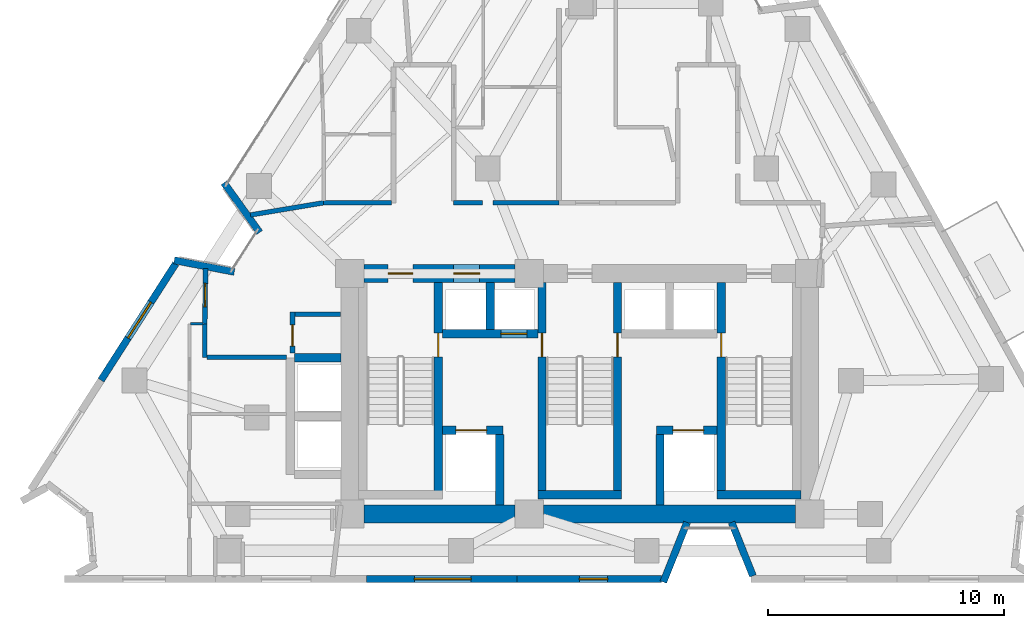
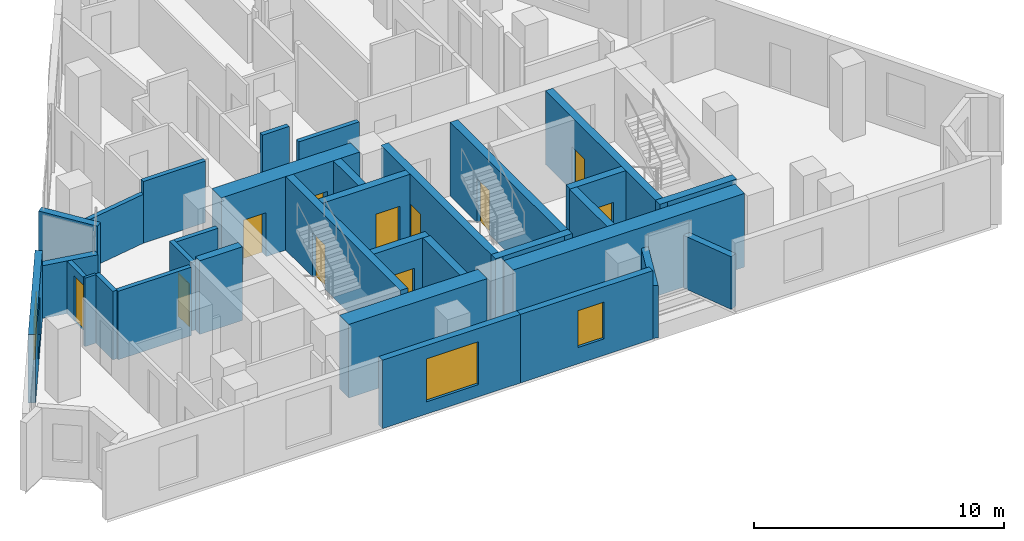
# One storey, part 6 of 11: 33 walls, 11 doors, 3 windows, 14 openings.
"""IFC4 building model written with IfcOpenShell, lengths in metres."""

from ifc_helpers import new_model, si_unit, direction, frame, frame_2d, origin, place, context, subcontext, project, spatial, rectangle, extrude, material, layer, layer_set, type_object, element, fill, save


model = new_model("IFC4")

# Units and contexts
model_context = context("Model", 3, precision=1e-05, world=origin(), true_north=direction((0.0, 1.0)))
body_context = subcontext(model_context, "Body", "Model", "MODEL_VIEW")
ifc_project = project(units=[si_unit("LENGTHUNIT", "METRE"), si_unit("AREAUNIT", "SQUARE_METRE"), si_unit("VOLUMEUNIT", "CUBIC_METRE"), si_unit("PLANEANGLEUNIT", "RADIAN"), si_unit("MASSUNIT", "GRAM", prefix="KILO")], contexts=[model_context])

# Site, building, storey
site_placement = place(None, origin())
site = spatial("IfcSite", under=ifc_project, at=site_placement, CompositionType="ELEMENT")
building_placement = place(site_placement, origin())
building = spatial("IfcBuilding", under=site, at=building_placement, Name="Almagre Mirador Tower", CompositionType="ELEMENT")
storey_placement = place(building_placement, frame((0.0, 0.0, 157.199951171875)))
storey = spatial("IfcBuildingStorey", under=building, at=storey_placement, Name="L40", CompositionType="ELEMENT", Elevation=157.199951171875)

# Walls
ifc_material_1 = material(Name="Precast concrete C50/60", Category="concrete")
ifc_layer_1 = layer(ifc_material_1, 0.300048828125)
ifc_layer_set_1 = layer_set([ifc_layer_1], Name="Precast concrete C50/60")
wall_type_1 = type_object("IfcWallType", Name="WAL-EXT-300", PredefinedType="SOLIDWALL", material=ifc_layer_set_1)
wall_1_placement = place(storey_placement, frame((20.103515625, 15.3125, 0.0), z_axis=(0.0, 0.0, 1.0), x_axis=(0.98176398898, -0.190103839891, 0.0)))
element("IfcWall", 1, at=wall_1_placement, inside=storey, type_object=wall_type_1, Name="L40 expressed almagre precast frame wall 01", PredefinedType="SOLIDWALL", context=body_context, shape_type="SweptSolid", body=[
    extrude(rectangle(XDim=2.59423828125, YDim=0.300048828125, at=frame_2d((1.297119140625, 0.0))), origin(), (0.0, 0.0, 1.0), 2.574951171875),
])
wall_2_placement = place(storey_placement, frame((23.72265625, 16.4921875, 0.0), z_axis=(0.0, 0.0, 1.0), x_axis=(-0.583178108206, 0.812344319922, 0.0)))
element("IfcWall", 2, at=wall_2_placement, inside=storey, type_object=wall_type_1, Name="L40 expressed almagre precast frame wall 02", PredefinedType="SOLIDWALL", context=body_context, shape_type="SweptSolid", body=[
    extrude(rectangle(XDim=2.593017578125, YDim=0.300048828125, at=frame_2d((1.29638671875, 0.0))), origin(), (0.0, 0.0, 1.0), 2.574951171875),
])
wall_3_placement = place(storey_placement, frame((44.64013671875, 1.93017578125, 0.0), z_axis=(0.0, 0.0, 1.0), x_axis=(-0.369476217581, 0.929240186734, 0.0)))
element("IfcWall", 3, at=wall_3_placement, inside=storey, type_object=wall_type_1, Name="L40 expressed almagre precast frame wall 23", PredefinedType="SOLIDWALL", context=body_context, shape_type="SweptSolid", body=[
    extrude(rectangle(XDim=2.441650390625, YDim=0.300048828125, at=frame_2d((1.220703125, 0.0))), origin(), (0.0, 0.0, 1.0), 2.574951171875),
])
wall_4_placement = place(storey_placement, frame((41.845947265625, 4.198974609375, 0.0), z_axis=(0.0, 0.0, 1.0), x_axis=(-0.369487569888, -0.929235672851, 0.0)))
element("IfcWall", 4, at=wall_4_placement, inside=storey, type_object=wall_type_1, Name="L40 expressed almagre precast frame wall 24", PredefinedType="SOLIDWALL", context=body_context, shape_type="SweptSolid", body=[
    extrude(rectangle(XDim=2.7216796875, YDim=0.300048828125, at=frame_2d((1.36083984375, 0.0))), origin(), (0.0, 0.0, 1.0), 2.574951171875),
])

# Wall, opening, window
wall_5_placement = place(storey_placement, frame((40.757080078125, 1.800048828125, 0.0), z_axis=(0.0, 0.0, 1.0), x_axis=(-1.0, 0.0, 0.0)))
wall_5 = element("IfcWall", 5, at=wall_5_placement, inside=storey, type_object=wall_type_1, Name="L40 expressed almagre precast frame wall 25", PredefinedType="SOLIDWALL", context=body_context, shape_type="SweptSolid", body=[
    extrude(rectangle(XDim=6.1181640625, YDim=0.300048828125, at=frame_2d((3.05908203125, 0.0))), origin(), (0.0, 0.0, 1.0), 3.35009765625),
])
opening_1_placement = place(wall_5_placement, frame((2.27490234375, 0.0, 0.800048828125)))
opening_1 = element("IfcOpeningElement", 6, at=opening_1_placement, cuts=wall_5, Name="Opening WN-04", PredefinedType="OPENING", context=body_context, shape_type="SweptSolid", body=[
    extrude(rectangle(XDim=1.199951171875, YDim=1.800048828125, at=frame_2d((0.60009765625, 0.89990234375))), frame((0.0, 0.159902, 0.0), z_axis=(0.0, -1.0, 0.0), x_axis=(1.0, 0.0, 0.0)), (0.0, 0.0, 1.0), 0.320049),
])
ifc_material_2 = material(Name="Dark solar-control laminated hurricane glass", Category="glass")
window_type_1 = type_object("IfcWindowType", Name="WIN-1200X1800", PartitioningType="SINGLE_PANEL", PredefinedType="WINDOW", material=ifc_material_2)
window_1_placement = place(opening_1_placement, origin())
window_1 = element("IfcWindow", 7, at=window_1_placement, inside=storey, type_object=window_type_1, Name="L40 recessed hurricane window L40-RST-B", OverallHeight=1.800048828125, OverallWidth=1.199951171875, PartitioningType="SINGLE_PANEL", PredefinedType="WINDOW", context=body_context, shape_type="SweptSolid", body=[
    extrude(rectangle(XDim=1.199951171875, YDim=1.800048828125, at=frame_2d((0.60009765625, 0.89990234375))), frame((0.0, 0.030029296875, 0.0), z_axis=(0.0, -1.0, 0.0), x_axis=(1.0, 0.0, 0.0)), (0.0, 0.0, 1.0), 0.06005859375),
])
fill(opening_1, window_1)

wall_6_placement = place(storey_placement, frame((34.638916015625, 1.800048828125, 0.0), z_axis=(0.0, 0.0, 1.0), x_axis=(-1.0, 0.0, 0.0)))
wall_6 = element("IfcWall", 8, at=wall_6_placement, inside=storey, type_object=wall_type_1, Name="L40 expressed almagre precast frame wall 26", PredefinedType="SOLIDWALL", context=body_context, shape_type="SweptSolid", body=[
    extrude(rectangle(XDim=6.392822265625, YDim=0.300048828125, at=frame_2d((3.1962890625, 0.0))), origin(), (0.0, 0.0, 1.0), 3.35009765625),
])
opening_2_placement = place(wall_6_placement, frame((1.949951171875, 0.0, 0.60009765625)))
opening_2 = element("IfcOpeningElement", 9, at=opening_2_placement, cuts=wall_6, Name="Opening WN-02", PredefinedType="OPENING", context=body_context, shape_type="SweptSolid", body=[
    extrude(rectangle(XDim=2.39990234375, YDim=2.10009765625, at=frame_2d((1.199951171875, 1.050048828125))), frame((0.0, 0.159902, 0.0), z_axis=(0.0, -1.0, 0.0), x_axis=(1.0, 0.0, 0.0)), (0.0, 0.0, 1.0), 0.320049),
])
ifc_material_3 = material(Name="Dark solar-control laminated hurricane glass", Category="glass")
window_type_2 = type_object("IfcWindowType", Name="WIN-2400X2100", PartitioningType="TRIPLE_PANEL_VERTICAL", PredefinedType="WINDOW", material=ifc_material_3)
window_2_placement = place(opening_2_placement, origin())
window_2 = element("IfcWindow", 10, at=window_2_placement, inside=storey, type_object=window_type_2, Name="L40 recessed hurricane window L40-RST-B", OverallHeight=2.10009765625, OverallWidth=2.39990234375, PartitioningType="SINGLE_PANEL", PredefinedType="WINDOW", context=body_context, shape_type="SweptSolid", body=[
    extrude(rectangle(XDim=2.39990234375, YDim=2.10009765625, at=frame_2d((1.199951171875, 1.050048828125))), frame((0.0, 0.030029296875, 0.0), z_axis=(0.0, -1.0, 0.0), x_axis=(1.0, 0.0, 0.0)), (0.0, 0.0, 1.0), 0.06005859375),
])
fill(opening_2, window_2)

wall_7_placement = place(storey_placement, frame((16.99951171875, 10.22705078125, 0.0), z_axis=(0.0, 0.0, 1.0), x_axis=(0.539500668401, 0.841985171363, 0.0)))
wall_7 = element("IfcWall", 11, at=wall_7_placement, inside=storey, type_object=wall_type_1, Name="L40 expressed almagre precast frame wall 34", PredefinedType="SOLIDWALL", context=body_context, shape_type="SweptSolid", body=[
    extrude(rectangle(XDim=5.873291015625, YDim=0.300048828125, at=frame_2d((2.9365234375, 0.0))), origin(), (0.0, 0.0, 1.0), 3.35009765625),
])
opening_3_placement = place(wall_7_placement, frame((2.125, 0.0, 0.60009765625)))
opening_3 = element("IfcOpeningElement", 12, at=opening_3_placement, cuts=wall_7, Name="Opening WN-01", PredefinedType="OPENING", context=body_context, shape_type="SweptSolid", body=[
    extrude(rectangle(XDim=1.800048828125, YDim=2.10009765625, at=frame_2d((0.89990234375, 1.050048828125))), frame((0.0, 0.159902, 0.0), z_axis=(0.0, -1.0, 0.0), x_axis=(1.0, 0.0, 0.0)), (0.0, 0.0, 1.0), 0.320049),
])
ifc_material_4 = material(Name="Dark solar-control laminated hurricane glass", Category="glass")
window_type_3 = type_object("IfcWindowType", Name="WIN-1800X2100", PartitioningType="DOUBLE_PANEL_VERTICAL", PredefinedType="WINDOW", material=ifc_material_4)
window_3_placement = place(opening_3_placement, origin())
window_3 = element("IfcWindow", 13, at=window_3_placement, inside=storey, type_object=window_type_3, Name="L40 recessed hurricane window L40-UA-LV", OverallHeight=2.10009765625, OverallWidth=1.800048828125, PartitioningType="SINGLE_PANEL", PredefinedType="WINDOW", context=body_context, shape_type="SweptSolid", body=[
    extrude(rectangle(XDim=1.800048828125, YDim=2.10009765625, at=frame_2d((0.89990234375, 1.050048828125))), frame((0.0, 0.030029296875, 0.0), z_axis=(0.0, -1.0, 0.0), x_axis=(1.0, 0.0, 0.0)), (0.0, 0.0, 1.0), 0.06005859375),
])
fill(opening_3, window_3)

# Wall
ifc_material_5 = material(Name="Gypsum acoustic stud partition", Category="other")
ifc_layer_2 = layer(ifc_material_5, 0.125)
ifc_layer_set_2 = layer_set([ifc_layer_2], Name="Gypsum acoustic stud partition")
wall_type_2 = type_object("IfcWallType", Name="WAL-PRT-125-UTL", PredefinedType="PARTITIONING", material=ifc_layer_set_2)
wall_8_placement = place(storey_placement, frame((20.797607421875, 12.6201171875, 0.0), z_axis=(0.0, 0.0, 1.0), x_axis=(1.0, 0.0, 0.0)))
element("IfcWall", 14, at=wall_8_placement, inside=storey, type_object=wall_type_2, Name="L40 interior partition 029", PredefinedType="PARTITIONING", context=body_context, shape_type="SweptSolid", body=[
    extrude(rectangle(XDim=0.517333984375, YDim=0.125, at=frame_2d((0.2587890625, 0.0))), origin(), (0.0, 0.0, 1.0), 3.35009765625),
])

# Wall, opening, door
ifc_material_6 = material(Name="Gypsum acoustic stud partition", Category="other")
ifc_layer_3 = layer(ifc_material_6, 0.199951171875)
ifc_layer_set_3 = layer_set([ifc_layer_3], Name="Gypsum acoustic stud partition")
wall_type_3 = type_object("IfcWallType", Name="WAL-PRT-200-EI60", PredefinedType="PARTITIONING", material=ifc_layer_set_3)
wall_9_placement = place(storey_placement, frame((25.1201171875, 11.3701171875, 0.0), z_axis=(0.0, 0.0, 1.0), x_axis=(0.0, 1.0, 0.0)))
wall_9 = element("IfcWall", 15, at=wall_9_placement, inside=storey, type_object=wall_type_3, Name="L40 core ancillary west wall", PredefinedType="PARTITIONING", context=body_context, shape_type="SweptSolid", body=[
    extrude(rectangle(XDim=1.739990234375, YDim=0.199951171875, at=frame_2d((0.8701171875, 0.0))), origin(), (0.0, 0.0, 1.0), 3.35009765625),
])
opening_4_placement = place(wall_9_placement, frame((0.304931640625, 0.0, 0.0)))
opening_4 = element("IfcOpeningElement", 16, at=opening_4_placement, cuts=wall_9, Name="Opening ID-03", PredefinedType="OPENING", context=body_context, shape_type="SweptSolid", body=[
    extrude(rectangle(XDim=0.89990234375, YDim=2.10009765625, at=frame_2d((0.449951171875, 1.050048828125))), frame((0.0, 0.110098, 0.0), z_axis=(0.0, -1.0, 0.0), x_axis=(1.0, 0.0, 0.0)), (0.0, 0.0, 1.0), 0.219951),
])
ifc_material_7 = material(Name="Fire-rated hollow steel", Category="steel")
door_type_1 = type_object("IfcDoorType", Name="DOR-FD60-900X2100", OperationType="NOTDEFINED", PredefinedType="DOOR", material=ifc_material_7)
door_1_placement = place(opening_4_placement, origin())
door_1 = element("IfcDoor", 17, at=door_1_placement, inside=storey, type_object=door_type_1, Name="DR-1288 L40 core ancillary corridor door", OperationType="SINGLE_SWING_RIGHT", OverallHeight=2.10009765625, OverallWidth=0.89990234375, PredefinedType="DOOR", context=body_context, shape_type="SweptSolid", body=[
    extrude(rectangle(XDim=0.89990234375, YDim=2.10009765625, at=frame_2d((0.449951171875, 1.050048828125))), frame((0.0, 0.02490234375, 0.0), z_axis=(0.0, -1.0, 0.0), x_axis=(1.0, 0.0, 0.0)), (0.0, 0.0, 1.0), 0.050048828125),
])
fill(opening_4, door_1)

# Wall
wall_10_placement = place(storey_placement, frame((25.22509765625, 13.02001953125, 0.0), z_axis=(0.0, 0.0, 1.0), x_axis=(1.0, 0.0, 0.0)))
element("IfcWall", 18, at=wall_10_placement, inside=storey, type_object=wall_type_3, Name="L40 core ancillary north wall", PredefinedType="PARTITIONING", context=body_context, shape_type="SweptSolid", body=[
    extrude(rectangle(XDim=1.934814453125, YDim=0.199951171875, at=frame_2d((0.96728515625, 0.0))), origin(), (0.0, 0.0, 1.0), 3.35009765625),
])

# Wall, opening, door
wall_11_placement = place(storey_placement, frame((21.43310546875, 14.9560546875, 0.0), z_axis=(0.0, 0.0, 1.0), x_axis=(-0.014212611143, -0.999898995741, 0.0)))
wall_11 = element("IfcWall", 19, at=wall_11_placement, inside=storey, type_object=wall_type_3, Name="L40 interior partition 001", PredefinedType="PARTITIONING", context=body_context, shape_type="SweptSolid", body=[
    extrude(rectangle(XDim=2.336181640625, YDim=0.199951171875, at=frame_2d((1.16796875, 0.0))), origin(), (0.0, 0.0, 1.0), 2.570068359375),
])
opening_5_placement = place(wall_11_placement, frame((0.61865234375, 0.0, 0.0)))
opening_5 = element("IfcOpeningElement", 20, at=opening_5_placement, cuts=wall_11, Name="Opening ID-01", PredefinedType="OPENING", context=body_context, shape_type="SweptSolid", body=[
    extrude(rectangle(XDim=1.0, YDim=2.199951171875, at=frame_2d((0.5, 1.10009765625))), frame((0.0, 0.110098, 0.0), z_axis=(0.0, -1.0, 0.0), x_axis=(1.0, 0.0, 0.0)), (0.0, 0.0, 1.0), 0.219951),
])
ifc_material_8 = material(Name="Fire-rated walnut timber", Category="wood")
door_type_2 = type_object("IfcDoorType", Name="DOR-FD60-1000X2200", OperationType="NOTDEFINED", PredefinedType="DOOR", material=ifc_material_8)
door_2_placement = place(opening_5_placement, origin())
door_2 = element("IfcDoor", 21, at=door_2_placement, inside=storey, type_object=door_type_2, Name="DR-1295 L40 interior door L40-RCOR to L40-UA-LV", OperationType="SINGLE_SWING_LEFT", OverallHeight=2.199951171875, OverallWidth=1.0, PredefinedType="DOOR", context=body_context, shape_type="SweptSolid", body=[
    extrude(rectangle(XDim=1.0, YDim=2.199951171875, at=frame_2d((0.5, 1.10009765625))), frame((0.0, 0.02490234375, 0.0), z_axis=(0.0, -1.0, 0.0), x_axis=(1.0, 0.0, 0.0)), (0.0, 0.0, 1.0), 0.050048828125),
])
fill(opening_5, door_2)

# Walls
wall_12_placement = place(storey_placement, frame((21.39990234375, 12.6201171875, 0.0), z_axis=(0.0, 0.0, 1.0), x_axis=(0.0, -1.0, 0.0)))
element("IfcWall", 22, at=wall_12_placement, inside=storey, type_object=wall_type_3, Name="L40 interior partition 002", PredefinedType="PARTITIONING", context=body_context, shape_type="SweptSolid", body=[
    extrude(rectangle(XDim=1.420166015625, YDim=0.199951171875, at=frame_2d((0.7099609375, 0.0))), origin(), (0.0, 0.0, 1.0), 3.35009765625),
])
wall_13_placement = place(storey_placement, frame((21.485107421875, 11.199951171875, 0.0), z_axis=(0.0, 0.0, 1.0), x_axis=(1.0, 0.0, 0.0)))
element("IfcWall", 23, at=wall_13_placement, inside=storey, type_object=wall_type_3, Name="L40 interior partition 003", PredefinedType="PARTITIONING", context=body_context, shape_type="SweptSolid", body=[
    extrude(rectangle(XDim=3.384033203125, YDim=0.199951171875, at=frame_2d((1.69189453125, 0.0))), origin(), (0.0, 0.0, 1.0), 3.35009765625),
])
wall_14_placement = place(storey_placement, frame((26.43994140625, 17.75, 0.0), z_axis=(0.0, 0.0, 1.0), x_axis=(-0.986465106599, -0.163971319024, 0.0)))
element("IfcWall", 24, at=wall_14_placement, inside=storey, type_object=wall_type_3, Name="L40 interior partition 007", PredefinedType="PARTITIONING", context=body_context, shape_type="SweptSolid", body=[
    extrude(rectangle(XDim=3.1474609375, YDim=0.199951171875, at=frame_2d((1.57373046875, 0.0))), origin(), (0.0, 0.0, 1.0), 2.39306640625),
])
wall_15_placement = place(storey_placement, frame((29.31494140625, 17.75, 0.0), z_axis=(0.0, 0.0, 1.0), x_axis=(-1.0, 0.0, 0.0)))
element("IfcWall", 25, at=wall_15_placement, inside=storey, type_object=wall_type_3, Name="L40 interior partition 009", PredefinedType="PARTITIONING", context=body_context, shape_type="SweptSolid", body=[
    extrude(rectangle(XDim=2.875, YDim=0.199951171875, at=frame_2d((1.4375, 0.0))), origin(), (0.0, 0.0, 1.0), 3.010009765625),
])
wall_16_placement = place(storey_placement, frame((33.179931640625, 17.75, 0.0), z_axis=(0.0, 0.0, 1.0), x_axis=(-1.0, 0.0, 0.0)))
element("IfcWall", 26, at=wall_16_placement, inside=storey, type_object=wall_type_3, Name="L40 interior partition 022", PredefinedType="PARTITIONING", context=body_context, shape_type="SweptSolid", body=[
    extrude(rectangle(XDim=1.22998046875, YDim=0.199951171875, at=frame_2d((0.614990234375, 0.0))), origin(), (0.0, 0.0, 1.0), 3.35009765625),
])
wall_17_placement = place(storey_placement, frame((36.419921875, 17.75, 0.0), z_axis=(0.0, 0.0, 1.0), x_axis=(-1.0, 0.0, 0.0)))
element("IfcWall", 27, at=wall_17_placement, inside=storey, type_object=wall_type_3, Name="L40 interior partition 024", PredefinedType="PARTITIONING", context=body_context, shape_type="SweptSolid", body=[
    extrude(rectangle(XDim=2.7998046875, YDim=0.199951171875, at=frame_2d((1.39990234375, 0.0))), origin(), (0.0, 0.0, 1.0), 2.43603515625),
])

# Wall, opening, door
ifc_material_9 = material(Name="Concrete C60/75", Category="concrete")
ifc_layer_4 = layer(ifc_material_9, 0.35009765625)
ifc_layer_set_4 = layer_set([ifc_layer_4], Name="Concrete C60/75")
wall_type_4 = type_object("IfcWallType", Name="WAL-SHF-350", PredefinedType="SOLIDWALL", material=ifc_layer_set_4)
wall_18_placement = place(storey_placement, frame((31.300048828125, 5.199951171875, 0.0), z_axis=(0.0, 0.0, 1.0), x_axis=(0.0, 1.0, 0.0)))
wall_18 = element("IfcWall", 28, at=wall_18_placement, inside=storey, type_object=wall_type_4, Name="L40 shaft wall ST1-E", PredefinedType="SOLIDWALL", context=body_context, shape_type="SweptSolid", body=[
    extrude(rectangle(XDim=9.175048828125, YDim=0.35009765625, at=frame_2d((4.58740234375, 0.0))), origin(), (0.0, 0.0, 1.0), 3.60009765625),
])
opening_6_placement = place(wall_18_placement, frame((6.02001953125, 0.0, 0.0)))
opening_6 = element("IfcOpeningElement", 29, at=opening_6_placement, cuts=wall_18, Name="Opening FD-01", PredefinedType="OPENING", context=body_context, shape_type="SweptSolid", body=[
    extrude(rectangle(XDim=1.0, YDim=2.14990234375, at=frame_2d((0.5, 1.074951171875))), frame((0.0, 0.185049, 0.0), z_axis=(0.0, -1.0, 0.0), x_axis=(1.0, 0.0, 0.0)), (0.0, 0.0, 1.0), 0.370098),
])
ifc_material_10 = material(Name="Fire-rated hollow steel", Category="steel")
door_type_3 = type_object("IfcDoorType", Name="DOR-FFL-1000X2150", OperationType="NOTDEFINED", PredefinedType="DOOR", material=ifc_material_10)
door_3_placement = place(opening_6_placement, origin())
door_3 = element("IfcDoor", 30, at=door_3_placement, inside=storey, type_object=door_type_3, Name="DR-1289 L40 FFL1-ST1 smokeproof door", OperationType="SINGLE_SWING_RIGHT", OverallHeight=2.14990234375, OverallWidth=1.0, PredefinedType="DOOR", context=body_context, shape_type="SweptSolid", body=[
    extrude(rectangle(XDim=1.0, YDim=2.14990234375, at=frame_2d((0.5, 1.074951171875))), frame((0.0, 0.02490234375, 0.0), z_axis=(0.0, -1.0, 0.0), x_axis=(1.0, 0.0, 0.0)), (0.0, 0.0, 1.0), 0.050048828125),
])
fill(opening_6, door_3)

wall_19_placement = place(storey_placement, frame((35.699951171875, 5.199951171875, 0.0), z_axis=(0.0, 0.0, 1.0), x_axis=(0.0, 1.0, 0.0)))
wall_19 = element("IfcWall", 31, at=wall_19_placement, inside=storey, type_object=wall_type_4, Name="L40 shaft wall ST2-W", PredefinedType="SOLIDWALL", context=body_context, shape_type="SweptSolid", body=[
    extrude(rectangle(XDim=9.175048828125, YDim=0.35009765625, at=frame_2d((4.58740234375, 0.0))), origin(), (0.0, 0.0, 1.0), 3.60009765625),
])
opening_7_placement = place(wall_19_placement, frame((6.02001953125, 0.0, 0.0)))
opening_7 = element("IfcOpeningElement", 32, at=opening_7_placement, cuts=wall_19, Name="Opening FD-01", PredefinedType="OPENING", context=body_context, shape_type="SweptSolid", body=[
    extrude(rectangle(XDim=1.0, YDim=2.14990234375, at=frame_2d((0.5, 1.074951171875))), frame((0.0, 0.185049, 0.0), z_axis=(0.0, -1.0, 0.0), x_axis=(1.0, 0.0, 0.0)), (0.0, 0.0, 1.0), 0.370098),
])
door_4_placement = place(opening_7_placement, origin())
door_4 = element("IfcDoor", 33, at=door_4_placement, inside=storey, type_object=door_type_3, Name="DR-1290 L40 FFL1-ST2 smokeproof door", OperationType="SINGLE_SWING_LEFT", OverallHeight=2.14990234375, OverallWidth=1.0, PredefinedType="DOOR", context=body_context, shape_type="SweptSolid", body=[
    extrude(rectangle(XDim=1.0, YDim=2.14990234375, at=frame_2d((0.5, 1.074951171875))), frame((0.0, 0.02490234375, 0.0), z_axis=(0.0, -1.0, 0.0), x_axis=(1.0, 0.0, 0.0)), (0.0, 0.0, 1.0), 0.050048828125),
])
fill(opening_7, door_4)

wall_20_placement = place(storey_placement, frame((38.89990234375, 5.199951171875, 0.0), z_axis=(0.0, 0.0, 1.0), x_axis=(0.0, 1.0, 0.0)))
wall_20 = element("IfcWall", 34, at=wall_20_placement, inside=storey, type_object=wall_type_4, Name="L40 shaft wall ST2-E", PredefinedType="SOLIDWALL", context=body_context, shape_type="SweptSolid", body=[
    extrude(rectangle(XDim=9.175048828125, YDim=0.35009765625, at=frame_2d((4.58740234375, 0.0))), origin(), (0.0, 0.0, 1.0), 3.60009765625),
])
opening_8_placement = place(wall_20_placement, frame((6.02001953125, 0.0, 0.0)))
opening_8 = element("IfcOpeningElement", 35, at=opening_8_placement, cuts=wall_20, Name="Opening FD-01", PredefinedType="OPENING", context=body_context, shape_type="SweptSolid", body=[
    extrude(rectangle(XDim=1.0, YDim=2.14990234375, at=frame_2d((0.5, 1.074951171875))), frame((0.0, 0.185049, 0.0), z_axis=(0.0, -1.0, 0.0), x_axis=(1.0, 0.0, 0.0)), (0.0, 0.0, 1.0), 0.370098),
])
door_5_placement = place(opening_8_placement, origin())
door_5 = element("IfcDoor", 36, at=door_5_placement, inside=storey, type_object=door_type_3, Name="DR-1291 L40 FFL2-ST2 smokeproof door", OperationType="SINGLE_SWING_RIGHT", OverallHeight=2.14990234375, OverallWidth=1.0, PredefinedType="DOOR", context=body_context, shape_type="SweptSolid", body=[
    extrude(rectangle(XDim=1.0, YDim=2.14990234375, at=frame_2d((0.5, 1.074951171875))), frame((0.0, 0.02490234375, 0.0), z_axis=(0.0, -1.0, 0.0), x_axis=(1.0, 0.0, 0.0)), (0.0, 0.0, 1.0), 0.050048828125),
])
fill(opening_8, door_5)

# Wall
wall_21_placement = place(storey_placement, frame((35.52490234375, 5.375, 0.0), z_axis=(0.0, 0.0, 1.0), x_axis=(1.0, 0.0, 0.0)))
element("IfcWall", 37, at=wall_21_placement, inside=storey, type_object=wall_type_4, Name="L40 shaft wall ST2-S", PredefinedType="SOLIDWALL", context=body_context, shape_type="SweptSolid", body=[
    extrude(rectangle(XDim=3.550048828125, YDim=0.35009765625, at=frame_2d((1.77490234375, 0.0))), origin(), (0.0, 0.0, 1.0), 3.60009765625),
])

# Wall, opening, door
wall_22_placement = place(storey_placement, frame((43.300048828125, 5.199951171875, 0.0), z_axis=(0.0, 0.0, 1.0), x_axis=(0.0, 1.0, 0.0)))
wall_22 = element("IfcWall", 38, at=wall_22_placement, inside=storey, type_object=wall_type_4, Name="L40 shaft wall ST3-W", PredefinedType="SOLIDWALL", context=body_context, shape_type="SweptSolid", body=[
    extrude(rectangle(XDim=9.175048828125, YDim=0.35009765625, at=frame_2d((4.58740234375, 0.0))), origin(), (0.0, 0.0, 1.0), 3.60009765625),
])
opening_9_placement = place(wall_22_placement, frame((6.02001953125, 0.0, 0.0)))
opening_9 = element("IfcOpeningElement", 39, at=opening_9_placement, cuts=wall_22, Name="Opening FD-01", PredefinedType="OPENING", context=body_context, shape_type="SweptSolid", body=[
    extrude(rectangle(XDim=1.0, YDim=2.14990234375, at=frame_2d((0.5, 1.074951171875))), frame((0.0, 0.185049, 0.0), z_axis=(0.0, -1.0, 0.0), x_axis=(1.0, 0.0, 0.0)), (0.0, 0.0, 1.0), 0.370098),
])
door_6_placement = place(opening_9_placement, origin())
door_6 = element("IfcDoor", 40, at=door_6_placement, inside=storey, type_object=door_type_3, Name="DR-1292 L40 FFL2-ST3 smokeproof door", OperationType="SINGLE_SWING_LEFT", OverallHeight=2.14990234375, OverallWidth=1.0, PredefinedType="DOOR", context=body_context, shape_type="SweptSolid", body=[
    extrude(rectangle(XDim=1.0, YDim=2.14990234375, at=frame_2d((0.5, 1.074951171875))), frame((0.0, 0.02490234375, 0.0), z_axis=(0.0, -1.0, 0.0), x_axis=(1.0, 0.0, 0.0)), (0.0, 0.0, 1.0), 0.050048828125),
])
fill(opening_9, door_6)

# Wall
wall_23_placement = place(storey_placement, frame((43.125, 5.375, 0.0), z_axis=(0.0, 0.0, 1.0), x_axis=(1.0, 0.0, 0.0)))
element("IfcWall", 41, at=wall_23_placement, inside=storey, type_object=wall_type_4, Name="L40 shaft wall ST3-S", PredefinedType="SOLIDWALL", context=body_context, shape_type="SweptSolid", body=[
    extrude(rectangle(XDim=3.550048828125, YDim=0.35009765625, at=frame_2d((1.77490234375, 0.0))), origin(), (0.0, 0.0, 1.0), 3.60009765625),
])

# Wall, opening, door
wall_24_placement = place(storey_placement, frame((31.47509765625, 8.10009765625, 0.0), z_axis=(0.0, 0.0, 1.0), x_axis=(1.0, 0.0, 0.0)))
wall_24 = element("IfcWall", 42, at=wall_24_placement, inside=storey, type_object=wall_type_4, Name="L40 shaft wall FSAE1-N", PredefinedType="SOLIDWALL", context=body_context, shape_type="SweptSolid", body=[
    extrude(rectangle(XDim=2.574951171875, YDim=0.35009765625, at=frame_2d((1.28759765625, 0.0))), origin(), (0.0, 0.0, 1.0), 3.60009765625),
])
opening_10_placement = place(wall_24_placement, frame((0.574951171875, 0.0, 0.0)))
opening_10 = element("IfcOpeningElement", 43, at=opening_10_placement, cuts=wall_24, Name="Opening LD-03", PredefinedType="OPENING", context=body_context, shape_type="SweptSolid", body=[
    extrude(rectangle(XDim=1.300048828125, YDim=2.25, at=frame_2d((0.64990234375, 1.125))), frame((0.0, 0.185049, 0.0), z_axis=(0.0, -1.0, 0.0), x_axis=(1.0, 0.0, 0.0)), (0.0, 0.0, 1.0), 0.370098),
])
ifc_material_11 = material(Name="Hollow stainless steel", Category="steel")
door_type_4 = type_object("IfcDoorType", Name="DOR-LD-1300X2250", OperationType="DOUBLE_DOOR_SLIDING", PredefinedType="DOOR", material=ifc_material_11)
door_7_placement = place(opening_10_placement, origin())
door_7 = element("IfcDoor", 44, at=door_7_placement, inside=storey, type_object=door_type_4, Name="DR-1308 L40 FSAE-1 lift landing door", OperationType="DOUBLE_DOOR_SLIDING", OverallHeight=2.25, OverallWidth=1.300048828125, PredefinedType="DOOR", context=body_context, shape_type="SweptSolid", body=[
    extrude(rectangle(XDim=1.300048828125, YDim=2.25, at=frame_2d((0.64990234375, 1.125))), frame((0.0, 0.02490234375, 0.0), z_axis=(0.0, -1.0, 0.0), x_axis=(1.0, 0.0, 0.0)), (0.0, 0.0, 1.0), 0.050048828125),
])
fill(opening_10, door_7)

wall_25_placement = place(storey_placement, frame((40.550048828125, 8.10009765625, 0.0), z_axis=(0.0, 0.0, 1.0), x_axis=(1.0, 0.0, 0.0)))
wall_25 = element("IfcWall", 45, at=wall_25_placement, inside=storey, type_object=wall_type_4, Name="L40 shaft wall FSAE2-N", PredefinedType="SOLIDWALL", context=body_context, shape_type="SweptSolid", body=[
    extrude(rectangle(XDim=2.574951171875, YDim=0.35009765625, at=frame_2d((1.28759765625, 0.0))), origin(), (0.0, 0.0, 1.0), 3.60009765625),
])
opening_11_placement = place(wall_25_placement, frame((0.699951171875, 0.0, 0.0)))
opening_11 = element("IfcOpeningElement", 46, at=opening_11_placement, cuts=wall_25, Name="Opening LD-03", PredefinedType="OPENING", context=body_context, shape_type="SweptSolid", body=[
    extrude(rectangle(XDim=1.300048828125, YDim=2.25, at=frame_2d((0.64990234375, 1.125))), frame((0.0, 0.185049, 0.0), z_axis=(0.0, -1.0, 0.0), x_axis=(1.0, 0.0, 0.0)), (0.0, 0.0, 1.0), 0.370098),
])
door_8_placement = place(opening_11_placement, origin())
door_8 = element("IfcDoor", 47, at=door_8_placement, inside=storey, type_object=door_type_4, Name="DR-1309 L40 FSAE-2 lift landing door", OperationType="DOUBLE_DOOR_SLIDING", OverallHeight=2.25, OverallWidth=1.300048828125, PredefinedType="DOOR", context=body_context, shape_type="SweptSolid", body=[
    extrude(rectangle(XDim=1.300048828125, YDim=2.25, at=frame_2d((0.64990234375, 1.125))), frame((0.0, 0.02490234375, 0.0), z_axis=(0.0, -1.0, 0.0), x_axis=(1.0, 0.0, 0.0)), (0.0, 0.0, 1.0), 0.050048828125),
])
fill(opening_11, door_8)

# Walls
for number, where, z_axis, x_axis, name in (
    (48, (33.89990234375, 4.925048828125, 0.0), (0.0, 0.0, 1.0), (0.0, 1.0, 0.0), "L40 shaft wall FSAE1-E"),
    (49, (40.699951171875, 4.925048828125, 0.0), (0.0, 0.0, 1.0), (0.0, 1.0, 0.0), "L40 shaft wall FSAE2-W"),
):
    element("IfcWall", number, at=place(storey_placement, frame(where, z_axis=z_axis, x_axis=x_axis)), inside=storey, type_object=wall_type_4, Name=name, PredefinedType="SOLIDWALL", context=body_context, shape_type="SweptSolid", body=[
        extrude(rectangle(XDim=3.0, YDim=0.35009765625, at=frame_2d((1.5, 0.0))), origin(), (0.0, 0.0, 1.0), 3.60009765625),
    ])

# Wall, opening, door
wall_26_placement = place(storey_placement, frame((31.47509765625, 12.199951171875, 0.0), z_axis=(0.0, 0.0, 1.0), x_axis=(1.0, 0.0, 0.0)))
wall_26 = element("IfcWall", 50, at=wall_26_placement, inside=storey, type_object=wall_type_4, Name="L40 shaft wall PLM-S", PredefinedType="SOLIDWALL", context=body_context, shape_type="SweptSolid", body=[
    extrude(rectangle(XDim=4.0498046875, YDim=0.35009765625, at=frame_2d((2.02490234375, 0.0))), origin(), (0.0, 0.0, 1.0), 3.60009765625),
])
opening_12_placement = place(wall_26_placement, frame((2.47509765625, 0.0, 0.0)))
opening_12 = element("IfcOpeningElement", 51, at=opening_12_placement, cuts=wall_26, Name="Opening LD-01", PredefinedType="OPENING", context=body_context, shape_type="SweptSolid", body=[
    extrude(rectangle(XDim=1.10009765625, YDim=2.199951171875, at=frame_2d((0.550048828125, 1.10009765625))), frame((0.0, 0.185049, 0.0), z_axis=(0.0, -1.0, 0.0), x_axis=(1.0, 0.0, 0.0)), (0.0, 0.0, 1.0), 0.370098),
])
ifc_material_12 = material(Name="Hollow stainless steel", Category="steel")
door_type_5 = type_object("IfcDoorType", Name="DOR-LD-1100X2200", OperationType="DOUBLE_DOOR_SLIDING", PredefinedType="DOOR", material=ifc_material_12)
door_9_placement = place(opening_12_placement, origin())
door_9 = element("IfcDoor", 52, at=door_9_placement, inside=storey, type_object=door_type_5, Name="DR-1311 L40 PL-M2 lift landing door", OperationType="DOUBLE_DOOR_SLIDING", OverallHeight=2.199951171875, OverallWidth=1.10009765625, PredefinedType="DOOR", context=body_context, shape_type="SweptSolid", body=[
    extrude(rectangle(XDim=1.10009765625, YDim=2.199951171875, at=frame_2d((0.550048828125, 1.10009765625))), frame((0.0, 0.02490234375, 0.0), z_axis=(0.0, -1.0, 0.0), x_axis=(1.0, 0.0, 0.0)), (0.0, 0.0, 1.0), 0.050048828125),
])
fill(opening_12, door_9)

# Walls
wall_27_placement = place(storey_placement, frame((33.5, 12.375, 0.0), z_axis=(0.0, 0.0, 1.0), x_axis=(0.0, 1.0, 0.0)))
element("IfcWall", 53, at=wall_27_placement, inside=storey, type_object=wall_type_4, Name="L40 shaft wall PLM-M", PredefinedType="SOLIDWALL", context=body_context, shape_type="SweptSolid", body=[
    extrude(rectangle(XDim=2.0, YDim=0.35009765625, at=frame_2d((1.0, 0.0))), origin(), (0.0, 0.0, 1.0), 3.60009765625),
])
wall_28_placement = place(storey_placement, frame((25.199951171875, 11.175048828125, 0.0), z_axis=(0.0, 0.0, 1.0), x_axis=(1.0, 0.0, 0.0)))
element("IfcWall", 54, at=wall_28_placement, inside=storey, type_object=wall_type_4, Name="L40 shaft wall OL-N", PredefinedType="SOLIDWALL", context=body_context, shape_type="SweptSolid", body=[
    extrude(rectangle(XDim=1.97509765625, YDim=0.35009765625, at=frame_2d((0.987548828125, 0.0))), origin(), (0.0, 0.0, 1.0), 3.60009765625),
])
ifc_material_13 = material(Name="Concrete C60/75", Category="concrete")
ifc_layer_5 = layer(ifc_material_13, 0.75)
ifc_layer_set_5 = layer_set([ifc_layer_5], Name="Concrete C60/75")
wall_type_5 = type_object("IfcWallType", Name="WAL-SHR-750", PredefinedType="SHEAR", material=ifc_layer_set_5)
wall_29_placement = place(storey_placement, frame((28.14990234375, 4.550048828125, 0.0), z_axis=(0.0, 0.0, 1.0), x_axis=(1.0, 0.0, 0.0)))
element("IfcWall", 55, at=wall_29_placement, inside=storey, type_object=wall_type_5, Name="L40 core shear wall S1", PredefinedType="SHEAR", context=body_context, shape_type="SweptSolid", body=[
    extrude(rectangle(XDim=6.400146484375, YDim=0.75, at=frame_2d((3.2001953125, 0.0))), origin(), (0.0, 0.0, 1.0), 3.60009765625),
])
wall_30_placement = place(storey_placement, frame((35.75, 4.550048828125, 0.0), z_axis=(0.0, 0.0, 1.0), x_axis=(1.0, 0.0, 0.0)))
element("IfcWall", 56, at=wall_30_placement, inside=storey, type_object=wall_type_5, Name="L40 core shear wall S2", PredefinedType="SHEAR", context=body_context, shape_type="SweptSolid", body=[
    extrude(rectangle(XDim=10.699951171875, YDim=0.75, at=frame_2d((5.35009765625, 0.0))), origin(), (0.0, 0.0, 1.0), 3.60009765625),
])

# Wall, openings, doors
wall_31_placement = place(storey_placement, frame((28.14990234375, 14.75, 0.0), z_axis=(0.0, 0.0, 1.0), x_axis=(1.0, 0.0, 0.0)))
wall_31 = element("IfcWall", 57, at=wall_31_placement, inside=storey, type_object=wall_type_5, Name="L40 core shear wall N1", PredefinedType="SHEAR", context=body_context, shape_type="SweptSolid", body=[
    extrude(rectangle(XDim=6.400146484375, YDim=0.75, at=frame_2d((3.2001953125, 0.0))), origin(), (0.0, 0.0, 1.0), 3.60009765625),
])
opening_13_placement = place(wall_31_placement, frame((1.02490234375, 0.0, 0.0)))
opening_13 = element("IfcOpeningElement", 58, at=opening_13_placement, cuts=wall_31, Name="Opening SD-01", PredefinedType="OPENING", context=body_context, shape_type="SweptSolid", body=[
    extrude(rectangle(XDim=1.050048828125, YDim=2.14990234375, at=frame_2d((0.52490234375, 1.074951171875))), frame((0.0, 0.385, 0.0), z_axis=(0.0, -1.0, 0.0), x_axis=(1.0, 0.0, 0.0)), (0.0, 0.0, 1.0), 0.77),
])
opening_14_placement = place(wall_31_placement, frame((3.800048828125, 0.0, 0.0)))
opening_14 = element("IfcOpeningElement", 59, at=opening_14_placement, cuts=wall_31, Name="Opening LD-01", PredefinedType="OPENING", context=body_context, shape_type="SweptSolid", body=[
    extrude(rectangle(XDim=1.10009765625, YDim=2.199951171875, at=frame_2d((0.550048828125, 1.10009765625))), frame((0.0, 0.385, 0.0), z_axis=(0.0, -1.0, 0.0), x_axis=(1.0, 0.0, 0.0)), (0.0, 0.0, 1.0), 0.77),
])
door_10_placement = place(opening_14_placement, origin())
door_10 = element("IfcDoor", 60, at=door_10_placement, inside=storey, type_object=door_type_5, Name="DR-1310 L40 PL-M1 lift landing door", OperationType="DOUBLE_DOOR_SLIDING", OverallHeight=2.199951171875, OverallWidth=1.10009765625, PredefinedType="DOOR", context=body_context, shape_type="SweptSolid", body=[
    extrude(rectangle(XDim=1.10009765625, YDim=2.199951171875, at=frame_2d((0.550048828125, 1.10009765625))), frame((0.0, 0.02490234375, 0.0), z_axis=(0.0, -1.0, 0.0), x_axis=(1.0, 0.0, 0.0)), (0.0, 0.0, 1.0), 0.050048828125),
])
fill(opening_14, door_10)
ifc_material_14 = material(Name="Fire-rated hollow steel", Category="steel")
door_type_6 = type_object("IfcDoorType", Name="DOR-ST-1050X2150", OperationType="NOTDEFINED", PredefinedType="DOOR", material=ifc_material_14)
door_11_placement = place(opening_13_placement, origin())
door_11 = element("IfcDoor", 61, at=door_11_placement, inside=storey, type_object=door_type_6, Name="DR-1312 L40 protected exit stair ST-1 door", OperationType="SINGLE_SWING_RIGHT", OverallHeight=2.14990234375, OverallWidth=1.050048828125, PredefinedType="DOOR", context=body_context, shape_type="SweptSolid", body=[
    extrude(rectangle(XDim=1.050048828125, YDim=2.14990234375, at=frame_2d((0.52490234375, 1.074951171875))), frame((0.0, 0.02490234375, 0.0), z_axis=(0.0, -1.0, 0.0), x_axis=(1.0, 0.0, 0.0)), (0.0, 0.0, 1.0), 0.050048828125),
])
fill(opening_13, door_11)

save(model, "model.ifc")
